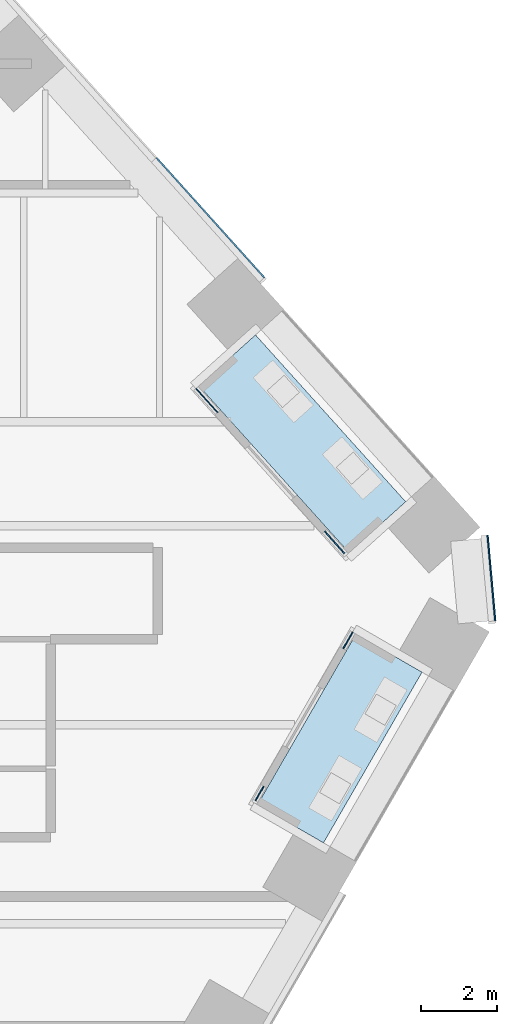
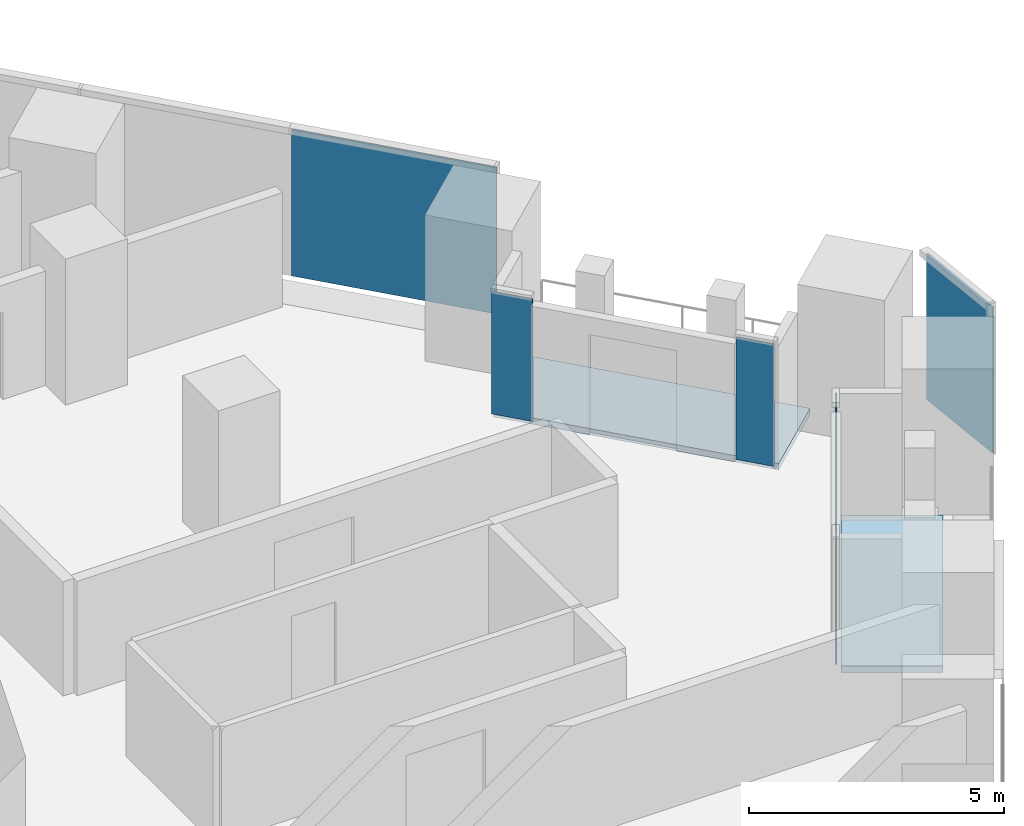
# One storey, part 19 of 28: 6 plates, 2 slabs, 4 elements without a shape of their own.
"""IFC4 building model written with IfcOpenShell, lengths in metres."""

from ifc_helpers import new_model, si_unit, direction, frame, origin, origin_2d, place, context, subcontext, project, spatial, polyline, rectangle, outline, extrude, material, layer, layer_set, type_object, element, aggregate, save


model = new_model("IFC4")

# Units and contexts
model_context = context("Model", 3, precision=1e-05, world=origin(), true_north=direction((0.0, 1.0)))
body_context = subcontext(model_context, "Body", "Model", "MODEL_VIEW")
ifc_project = project(units=[si_unit("LENGTHUNIT", "METRE"), si_unit("AREAUNIT", "SQUARE_METRE"), si_unit("VOLUMEUNIT", "CUBIC_METRE"), si_unit("PLANEANGLEUNIT", "RADIAN"), si_unit("MASSUNIT", "GRAM", prefix="KILO")], contexts=[model_context])

# Site, building, storey
site_placement = place(None, origin())
site = spatial("IfcSite", under=ifc_project, at=site_placement, CompositionType="ELEMENT")
building_placement = place(site_placement, origin())
building = spatial("IfcBuilding", under=site, at=building_placement, Name="Isthmus Gate Tower", CompositionType="ELEMENT")
storey_placement = place(building_placement, frame((0.0, 0.0, 68.85009765625)))
storey = spatial("IfcBuildingStorey", under=building, at=storey_placement, Name="L15", CompositionType="ELEMENT", Elevation=68.85009765625)

# Curtain wall, plate
ifc_material_1 = material(Name="Aluminium, pale champagne anodised", Category="aluminium")
ifc_layer_1 = layer(ifc_material_1, 0.199951171875)
ifc_layer_set_1 = layer_set([ifc_layer_1], Name="CW-1 UNITISED CURTAIN WALL 200 DEEP")
curtain_wall_type_1 = type_object("IfcCurtainWallType", Name="CW-1 UNITISED CURTAIN WALL 200 DEEP", PredefinedType="NOTDEFINED", material=ifc_layer_set_1)
curtain_wall_1_placement = place(storey_placement, origin())
curtain_wall_1 = element("IfcCurtainWall", 1, at=curtain_wall_1_placement, inside=storey, type_object=curtain_wall_type_1, Name="CW-1 SE-NE L15", PredefinedType="NOTDEFINED")
ifc_material_2 = material(Name="Laminated low-iron glass, pale blue tint", Category="glass")
ifc_layer_2 = layer(ifc_material_2, 0.0400390625)
ifc_layer_set_2 = layer_set([ifc_layer_2], Name="CW-1 CLEAR GLASS LITE 40")
plate_type_1 = type_object("IfcPlateType", Name="CW-1 CLEAR GLASS LITE 40", PredefinedType="CURTAIN_PANEL", material=ifc_layer_set_2)
plate_1_placement = place(storey_placement, frame((38.155029296875, 3.403564453125, 0.0), z_axis=(0.0, 0.0, 1.0), x_axis=(-0.089396669717, 0.995996102123, 0.0)))
plate_1 = element("IfcPlate", 2, at=plate_1_placement, type_object=plate_type_1, Name="CW-1 glass lite", PredefinedType="CURTAIN_PANEL", context=body_context, shape_type="SweptSolid", body=[
    extrude(rectangle(XDim=2.258544921875, YDim=0.0400390625, at=origin_2d()), origin(), (0.0, 0.0, 1.0), 3.5),
])
aggregate(curtain_wall_1, [plate_1])

curtain_wall_2_placement = place(storey_placement, origin())
curtain_wall_2 = element("IfcCurtainWall", 3, at=curtain_wall_2_placement, inside=storey, type_object=curtain_wall_type_1, Name="CW-1 NE L15", PredefinedType="NOTDEFINED")
plate_2_placement = place(storey_placement, frame((30.7841796875, 12.85791015625, 0.0), z_axis=(0.0, 0.0, 1.0), x_axis=(-0.669130606359, 0.743144825477, 0.0)))
plate_2 = element("IfcPlate", 4, at=plate_2_placement, type_object=plate_type_1, Name="CW-1 glass lite", PredefinedType="CURTAIN_PANEL", context=body_context, shape_type="SweptSolid", body=[
    extrude(rectangle(XDim=4.234619140625, YDim=0.0400390625, at=origin_2d()), origin(), (0.0, 0.0, 1.0), 3.5),
])
aggregate(curtain_wall_2, [plate_2])

# Curtain wall, plates
ifc_material_3 = material(Name="Aluminium, pale champagne anodised", Category="aluminium")
ifc_layer_3 = layer(ifc_material_3, 0.14990234375)
ifc_layer_set_3 = layer_set([ifc_layer_3], Name="CW-6 LOGGIA BACK WALL GLAZING 150 DEEP")
curtain_wall_type_2 = type_object("IfcCurtainWallType", Name="CW-6 LOGGIA BACK WALL GLAZING 150 DEEP", PredefinedType="NOTDEFINED", material=ifc_layer_set_3)
curtain_wall_3_placement = place(storey_placement, origin())
curtain_wall_3 = element("IfcCurtainWall", 5, at=curtain_wall_3_placement, inside=storey, type_object=curtain_wall_type_2, Name="CW-6 SE L15", PredefinedType="NOTDEFINED")
ifc_material_4 = material(Name="Laminated low-iron glass, clear", Category="glass")
ifc_layer_4 = layer(ifc_material_4, 0.031982421875)
ifc_layer_set_4 = layer_set([ifc_layer_4], Name="CW-6 CLEAR GLASS LITE 32")
plate_type_2 = type_object("IfcPlateType", Name="CW-6 CLEAR GLASS LITE 32", PredefinedType="CURTAIN_PANEL", material=ifc_layer_set_4)
plate_3_placement = place(storey_placement, frame((32.071533203125, -2.25048828125, 0.0), z_axis=(0.0, 0.0, 1.0), x_axis=(0.5, 0.866025403784, 0.0)))
plate_3 = element("IfcPlate", 6, at=plate_3_placement, type_object=plate_type_2, Name="CW-6 glass lite", PredefinedType="CURTAIN_PANEL", context=body_context, shape_type="SweptSolid", body=[
    extrude(rectangle(XDim=0.43994140625, YDim=0.031982421875, at=origin_2d()), origin(), (0.0, 0.0, 1.0), 2.929931640625),
])
plate_4_placement = place(storey_placement, frame((34.391357421875, 1.767333984375, 0.0), z_axis=(0.0, 0.0, 1.0), x_axis=(0.5, 0.866025403784, 0.0)))
plate_4 = element("IfcPlate", 7, at=plate_4_placement, type_object=plate_type_2, Name="CW-6 glass lite", PredefinedType="CURTAIN_PANEL", context=body_context, shape_type="SweptSolid", body=[
    extrude(rectangle(XDim=0.5, YDim=0.031982421875, at=origin_2d()), origin(), (0.0, 0.0, 1.0), 2.929931640625),
])
aggregate(curtain_wall_3, [plate_3, plate_4])

curtain_wall_4_placement = place(storey_placement, origin())
curtain_wall_4 = element("IfcCurtainWall", 8, at=curtain_wall_4_placement, inside=storey, type_object=curtain_wall_type_2, Name="CW-6 NE L15", PredefinedType="NOTDEFINED")
plate_5_placement = place(storey_placement, frame((34.043701171875, 4.3359375, 0.0), z_axis=(0.0, 0.0, 1.0), x_axis=(-0.669130606359, 0.743144825477, 0.0)))
plate_5 = element("IfcPlate", 9, at=plate_5_placement, type_object=plate_type_2, Name="CW-6 glass lite", PredefinedType="CURTAIN_PANEL", context=body_context, shape_type="SweptSolid", body=[
    extrude(rectangle(XDim=0.78466796875, YDim=0.031982421875, at=origin_2d()), origin(), (0.0, 0.0, 1.0), 2.929931640625),
])
plate_6_placement = place(storey_placement, frame((30.688232421875, 8.0625, 0.0), z_axis=(0.0, 0.0, 1.0), x_axis=(-0.669130606359, 0.743144825477, 0.0)))
plate_6 = element("IfcPlate", 10, at=plate_6_placement, type_object=plate_type_2, Name="CW-6 glass lite", PredefinedType="CURTAIN_PANEL", context=body_context, shape_type="SweptSolid", body=[
    extrude(rectangle(XDim=0.8447265625, YDim=0.031982421875, at=origin_2d()), origin(), (0.0, 0.0, 1.0), 2.929931640625),
])
aggregate(curtain_wall_4, [plate_5, plate_6])

# Slabs
ifc_material_5 = material(Name="Concrete f'c 50 MPa", Category="concrete")
ifc_layer_5 = layer(ifc_material_5, 0.14990234375)
ifc_layer_set_5 = layer_set([ifc_layer_5], Name="LOGGIA FLOOR SLAB 150")
slab_type = type_object("IfcSlabType", Name="LOGGIA FLOOR SLAB 150", PredefinedType="FLOOR", material=ifc_layer_set_5)
slab_1_placement = place(storey_placement, frame((0.0, 0.0, -0.150146484375)))
element("IfcSlab", 11, at=slab_1_placement, inside=storey, type_object=slab_type, Name="LOGGIA FLOOR", PredefinedType="FLOOR", context=body_context, shape_type="SweptSolid", body=[
    extrude(outline(polyline([(33.750244140625, -3.54296875), (36.3349609375, 0.933837890625), (34.602783203125, 1.933837890625), (32.01806640625, -2.54296875), (33.750244140625, -3.54296875)])), origin(), (0.0, 0.0, 1.0), 0.150146484375),
])
slab_2_placement = place(storey_placement, frame((0.0, 0.0, -0.150146484375)))
element("IfcSlab", 12, at=slab_2_placement, inside=storey, type_object=slab_type, Name="LOGGIA FLOOR", PredefinedType="FLOOR", context=body_context, shape_type="SweptSolid", body=[
    extrude(outline(polyline([(35.906982421875, 5.40478515625), (31.96630859375, 9.781494140625), (30.47998046875, 8.443115234375), (34.4208984375, 4.066650390625), (35.906982421875, 5.40478515625)])), origin(), (0.0, 0.0, 1.0), 0.150146484375),
])

save(model, "model.ifc")
